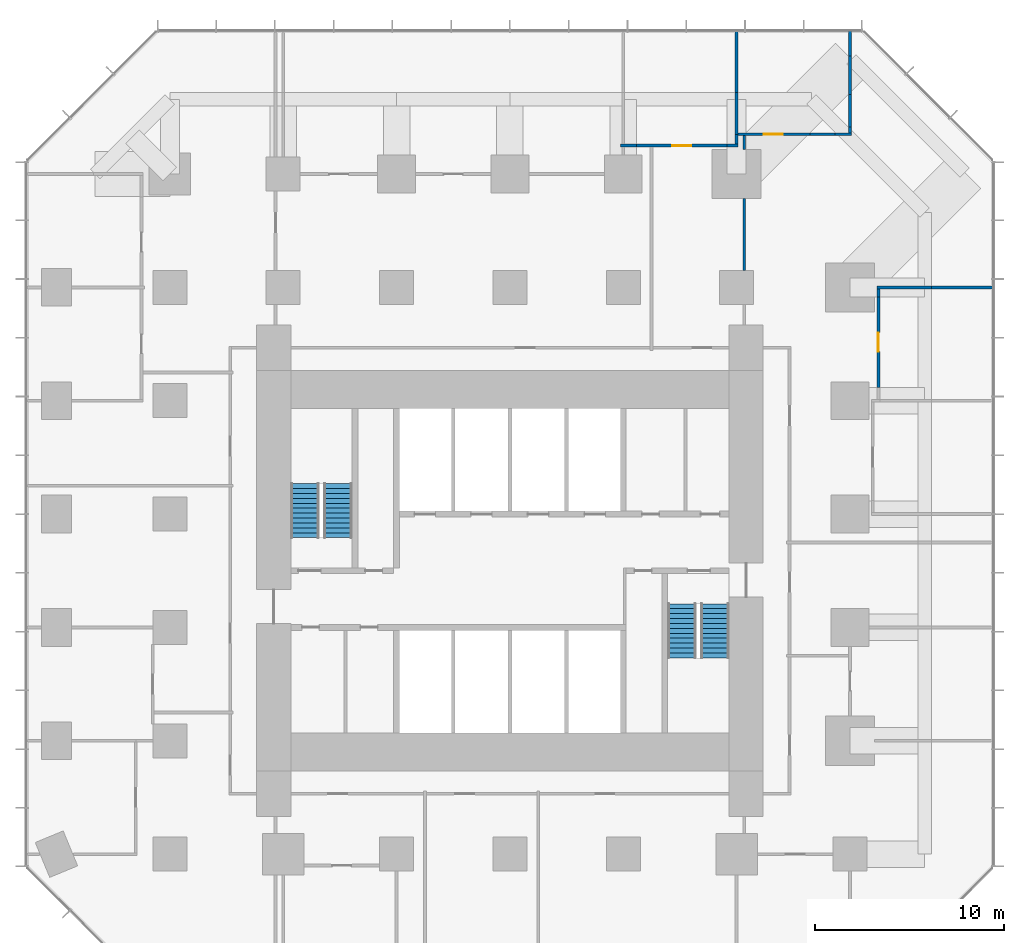
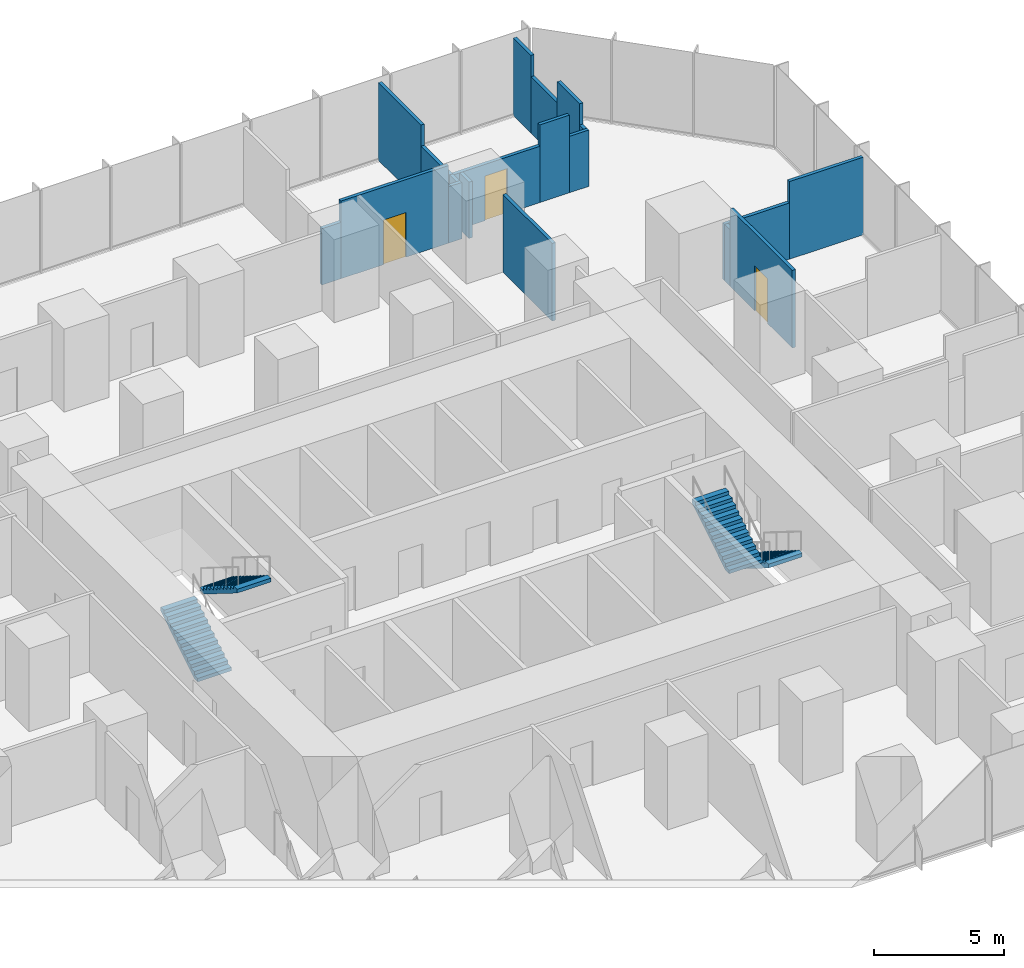
# One storey, part 11 of 12: 19 walls, 4 stair flights, 3 doors, 3 openings, 2 elements without a shape of their own.
"""IFC4 building model written with IfcOpenShell, lengths in metres."""

import ifcopenshell
import ifcopenshell.guid

model = None  # the IFC model being written
_history = None  # IfcOwnerHistory: only IFC2X3 demands one
_inside = {}  # id of a spatial element -> (the spatial element, [elements in it])
_under = {}  # id of a project, library or spatial element -> (it, [spatial elements below it])
_declared = {}  # id of a project -> (the project, [libraries it declares])
_typed = {}  # id of a type object -> (the type object, [elements of that type])
_made_of = {}  # id of a material, layer set ... -> (it, [elements and type objects made of it])


def new_model(schema):
    """Start an empty IFC model of exactly this schema.

    Asked for "IFC4X3", IfcOpenShell would pick the latest addendum, in which some entities
    have other attributes; the version numbers below select the first issue.
    IFC2X3 requires an IfcOwnerHistory on every rooted entity: one is made here for all.
    """
    global model, _history
    if schema == "IFC4X3":
        model = ifcopenshell.file(schema_version=(4, 3, 0, 0))
    else:
        model = ifcopenshell.file(schema=schema)
    _inside.clear()
    _under.clear()
    _declared.clear()
    _typed.clear()
    _made_of.clear()
    _history = None
    if model.schema == "IFC2X3":
        org = make("IfcOrganization", Name="unknown")
        user = make(
            "IfcPersonAndOrganization",
            ThePerson=make("IfcPerson", FamilyName="unknown"),
            TheOrganization=org,
        )
        app = make(
            "IfcApplication",
            ApplicationDeveloper=org,
            Version="unknown",
            ApplicationFullName="unknown",
            ApplicationIdentifier="unknown",
        )
        _history = make(
            "IfcOwnerHistory",
            OwningUser=user,
            OwningApplication=app,
            ChangeAction="ADDED",
            CreationDate=0,
        )
    return model


def make(cls, **values):
    """One entity of the class cls with the attributes given. An attribute that is None is left unset."""
    return model.create_entity(
        cls, **{name: value for name, value in values.items() if value is not None}
    )


def rooted(cls, **values):
    """An entity with a GlobalId (a new one), such as an element, a storey or a relation."""
    return make(cls, GlobalId=ifcopenshell.guid.new(), OwnerHistory=_history, **values)


def si_unit(unit_type, name, prefix=None):
    """IfcSIUnit, for example si_unit("LENGTHUNIT", "METRE", prefix="MILLI")."""
    return make("IfcSIUnit", UnitType=unit_type, Prefix=prefix, Name=name)


def assignment(units):
    """IfcUnitAssignment: the units of a project."""
    return None if units is None else make("IfcUnitAssignment", Units=units)


def point(xyz):
    """IfcCartesianPoint."""
    return None if xyz is None else make("IfcCartesianPoint", Coordinates=xyz)


def direction(xyz):
    """IfcDirection."""
    return None if xyz is None else make("IfcDirection", DirectionRatios=xyz)


def frame(location, z_axis=None, x_axis=None):
    """IfcAxis2Placement3D, a coordinate frame: its origin and axes. An axis left out is left unset."""
    return make(
        "IfcAxis2Placement3D",
        Location=point(location),
        Axis=direction(z_axis),
        RefDirection=direction(x_axis),
    )


def frame_2d(location, x_axis=None):
    """IfcAxis2Placement2D, a coordinate frame in the plane: its origin and x axis."""
    return make(
        "IfcAxis2Placement2D", Location=point(location), RefDirection=direction(x_axis)
    )


def origin():
    """The frame at (0, 0, 0) with its axes left unset."""
    return frame((0.0, 0.0, 0.0))


def place(relative_to, where):
    """IfcLocalPlacement: puts the frame where relative to a parent placement (None: the world)."""
    return make(
        "IfcLocalPlacement", PlacementRelTo=relative_to, RelativePlacement=where
    )


def context(
    kind, dimensions, precision=None, world=None, true_north=None, identifier=None
):
    """IfcGeometricRepresentationContext, for example the 3D "Model" context."""
    return make(
        "IfcGeometricRepresentationContext",
        ContextIdentifier=identifier,
        ContextType=kind,
        CoordinateSpaceDimension=dimensions,
        Precision=precision,
        WorldCoordinateSystem=world,
        TrueNorth=true_north,
    )


def subcontext(parent, identifier, kind, view, scale=None):
    """IfcGeometricRepresentationSubContext, for example "Body" below "Model"."""
    return make(
        "IfcGeometricRepresentationSubContext",
        ContextIdentifier=identifier,
        ContextType=kind,
        ParentContext=parent,
        TargetScale=scale,
        TargetView=view,
    )


def project(units=None, contexts=None):
    """IfcProject with its units and contexts."""
    return rooted(
        "IfcProject",
        Name="project",
        RepresentationContexts=contexts,
        UnitsInContext=assignment(units),
    )


def spatial(cls, under=None, at=None, **own):
    """A site, building, storey or space (cls), placed at a placement, below another one or the project."""
    s = rooted(cls, ObjectPlacement=at, **own)
    if under is not None:
        _under.setdefault(under.id(), (under, []))[1].append(s)
    return s


def polyline(points):
    """IfcPolyline through the points."""
    return make("IfcPolyline", Points=[point(p) for p in points])


def profile(cls, at=None, kind="AREA", **sizes):
    """A parametric profile (cls). Its sizes go by their IFC names, for example OverallWidth=200.0."""
    return make(cls, ProfileType=kind, Position=at, **sizes)


def rectangle(**sizes):
    """IfcRectangleProfileDef."""
    return profile("IfcRectangleProfileDef", **sizes)


def outline(outer, holes=None, kind="AREA"):
    """IfcArbitraryClosedProfileDef: a profile drawn as a closed curve; with holes, ...WithVoids."""
    if holes is None:
        return make("IfcArbitraryClosedProfileDef", ProfileType=kind, OuterCurve=outer)
    return make(
        "IfcArbitraryProfileDefWithVoids",
        ProfileType=kind,
        OuterCurve=outer,
        InnerCurves=holes,
    )


def extrude(swept, where, along, depth):
    """IfcExtrudedAreaSolid: the profile swept, set in the frame where, extruded along a direction by depth."""
    return make(
        "IfcExtrudedAreaSolid",
        SweptArea=swept,
        Position=where,
        ExtrudedDirection=direction(along),
        Depth=depth,
    )


def shape(context_of_items, identifier, shape_type, items):
    """IfcShapeRepresentation: the items that make up one representation, for example the "Body"."""
    return make(
        "IfcShapeRepresentation",
        ContextOfItems=context_of_items,
        RepresentationIdentifier=identifier,
        RepresentationType=shape_type,
        Items=items,
    )


def material(Name=None, Category=None):
    """IfcMaterial."""
    return make("IfcMaterial", Name=Name, Category=Category)


def layer(
    of_material, thickness, ventilated=None, Name=None, Category=None, Priority=None
):
    """IfcMaterialLayer: one layer of a wall or slab, of a material (None: an air gap)."""
    return make(
        "IfcMaterialLayer",
        Material=of_material,
        LayerThickness=thickness,
        IsVentilated=ventilated,
        Name=Name,
        Category=Category,
        Priority=Priority,
    )


def layer_set(layers, Name=None):
    """IfcMaterialLayerSet."""
    return make("IfcMaterialLayerSet", MaterialLayers=layers, LayerSetName=Name)


def made_of(thing, what):
    """Note that an element or type object is made of a material, layer set ...; save() writes the relation."""
    if what is not None:
        _made_of.setdefault(what.id(), (what, []))[1].append(thing)
    return thing


def type_object(cls, material=None, **own):
    """A type object (cls), such as IfcWallType, which elements share."""
    return made_of(rooted(cls, **own), material)


def element(
    cls,
    number,
    at=None,
    inside=None,
    cuts=None,
    type_object=None,
    material=None,
    context=None,
    identifier="Body",
    shape_type=None,
    held_by="IfcProductDefinitionShape",
    body=None,
    shapes=None,
    **own,
):
    """One element of the class cls, such as IfcWall. Its Tag is "e" and its number.

    at: its placement. inside: the storey or other place that contains it. cuts: it is an
    opening in that element (IfcRelVoidsElement). A single representation is given by context,
    identifier, shape_type and body (its items); several are given by shapes. held_by: the class
    of the entity that holds the representations. save() writes the other relations.
    """
    e = rooted(cls, Tag="e%d" % number, ObjectPlacement=at, **own)
    if body is not None:
        shapes = [shape(context, identifier, shape_type, body)]
    if shapes is not None:
        e.Representation = make(held_by, Representations=shapes)
    if inside is not None:
        _inside.setdefault(inside.id(), (inside, []))[1].append(e)
    if cuts is not None:
        rooted(
            "IfcRelVoidsElement", RelatingBuildingElement=cuts, RelatedOpeningElement=e
        )
    if type_object is not None:
        _typed.setdefault(type_object.id(), (type_object, []))[1].append(e)
    return made_of(e, material)


def fill(opening, filler):
    """IfcRelFillsElement: the door or window that sits in an opening."""
    return rooted(
        "IfcRelFillsElement",
        RelatingOpeningElement=opening,
        RelatedBuildingElement=filler,
    )


def aggregate(whole, parts):
    """IfcRelAggregates: a whole, such as a stair, and the parts it consists of."""
    return rooted("IfcRelAggregates", RelatingObject=whole, RelatedObjects=parts)


def save(model, path):
    """Write the relations noted so far, then the file.

    IfcRelAggregates (storeys below a building ...), IfcRelContainedInSpatialStructure (elements
    in a storey), IfcRelDefinesByType, IfcRelAssociatesMaterial and IfcRelDeclares: one each for
    every whole, place, type object, material and project.
    """
    for whole, parts in _under.values():
        aggregate(whole, parts)
    for where, things in _inside.values():
        rooted(
            "IfcRelContainedInSpatialStructure",
            RelatedElements=things,
            RelatingStructure=where,
        )
    for kind, things in _typed.values():
        rooted("IfcRelDefinesByType", RelatedObjects=things, RelatingType=kind)
    for what, things in _made_of.values():
        rooted("IfcRelAssociatesMaterial", RelatedObjects=things, RelatingMaterial=what)
    for by, libraries in _declared.values():
        rooted("IfcRelDeclares", RelatingContext=by, RelatedDefinitions=libraries)
    model.write(path)


model = new_model("IFC4")

# Units and contexts
model_context = context("Model", 3, precision=1e-05, world=origin(), true_north=direction((0.0, 1.0)))
body_context = subcontext(model_context, "Body", "Model", "MODEL_VIEW")
ifc_project = project(units=[si_unit("LENGTHUNIT", "METRE"), si_unit("AREAUNIT", "SQUARE_METRE"), si_unit("VOLUMEUNIT", "CUBIC_METRE"), si_unit("PLANEANGLEUNIT", "RADIAN"), si_unit("MASSUNIT", "GRAM", prefix="KILO")], contexts=[model_context])

# Site, building, storey
site_placement = place(None, origin())
site = spatial("IfcSite", under=ifc_project, at=site_placement, CompositionType="ELEMENT")
building_placement = place(site_placement, origin())
building = spatial("IfcBuilding", under=site, at=building_placement, Name="Highveld Stack Headquarters", CompositionType="ELEMENT")
storey_placement = place(building_placement, frame((0.0, 0.0, 72.800048828125)))
storey = spatial("IfcBuildingStorey", under=building, at=storey_placement, Name="L17", CompositionType="ELEMENT", Elevation=72.800048828125)

# Walls
ifc_material_1 = material(Name="Gypsum plasterboard on steel studs", Category="steel")
ifc_layer = layer(ifc_material_1, 0.14990234375)
ifc_layer_set = layer_set([ifc_layer], Name="Gypsum plasterboard on steel studs")
wall_type = type_object("IfcWallType", Name="PARTITION 150 PLASTERBOARD", PredefinedType="PARTITIONING", material=ifc_layer_set)
wall_1_placement = place(storey_placement, frame((25.425048828125, 18.0, 0.0), z_axis=(0.0, 0.0, 1.0), x_axis=(1.0, 0.0, 0.0)))
element("IfcWall", 1, at=wall_1_placement, inside=storey, type_object=wall_type, Name="Partition Quiet room L17", PredefinedType="PARTITIONING", context=body_context, shape_type="SweptSolid", body=[
    extrude(rectangle(XDim=2.885009765625, YDim=0.14990234375, at=frame_2d((1.4423828125, 0.0))), origin(), (0.0, 0.0, 1.0), 2.64990234375),
])
wall_2_placement = place(storey_placement, frame((28.31005859375, 18.0, 0.0), z_axis=(0.0, 0.0, 1.0), x_axis=(1.0, 0.0, 0.0)))
element("IfcWall", 2, at=wall_2_placement, inside=storey, type_object=wall_type, Name="Partition Quiet room L17", PredefinedType="PARTITIONING", context=body_context, shape_type="SweptSolid", body=[
    extrude(rectangle(XDim=3.2900390625, YDim=0.14990234375, at=frame_2d((1.64501953125, 0.0))), origin(), (0.0, 0.0, 1.0), 3.64990234375),
])
wall_3_placement = place(storey_placement, frame((11.85009765625, 25.5, 0.0), z_axis=(0.0, 0.0, 1.0), x_axis=(1.0, 0.0, 0.0)))
element("IfcWall", 3, at=wall_3_placement, inside=storey, type_object=wall_type, Name="Partition Quiet room L17", PredefinedType="PARTITIONING", context=body_context, shape_type="SweptSolid", body=[
    extrude(rectangle(XDim=0.85986328125, YDim=0.14990234375, at=frame_2d((0.429931640625, 0.0))), origin(), (0.0, 0.0, 1.0), 2.64990234375),
])

# Wall, opening, door
wall_4_placement = place(storey_placement, frame((12.7099609375, 25.5, 0.0), z_axis=(0.0, 0.0, 1.0), x_axis=(1.0, 0.0, 0.0)))
wall_4 = element("IfcWall", 4, at=wall_4_placement, inside=storey, type_object=wall_type, Name="Partition Quiet room L17", PredefinedType="PARTITIONING", context=body_context, shape_type="SweptSolid", body=[
    extrude(rectangle(XDim=4.780029296875, YDim=0.14990234375, at=frame_2d((2.39013671875, 0.0))), origin(), (0.0, 0.0, 1.0), 3.64990234375),
])
opening_1_placement = place(wall_4_placement, frame((1.889892578125, 0.0, 0.0)))
opening_1 = element("IfcOpeningElement", 5, at=opening_1_placement, cuts=wall_4, Name="Opening L17-22", PredefinedType="OPENING", context=body_context, shape_type="SweptSolid", body=[
    extrude(rectangle(XDim=1.0, YDim=2.10009765625, at=frame_2d((0.5, 1.050048828125))), frame((0.0, 0.0849609375, 0.0), z_axis=(0.0, -1.0, 0.0), x_axis=(1.0, 0.0, 0.0)), (0.0, 0.0, 1.0), 0.169921875),
])
ifc_material_2 = material(Name="Timber door, oiled ash", Category="wood")
door_type = type_object("IfcDoorType", Name="ROOM DOOR D6 1000x2100", OperationType="SINGLE_SWING_LEFT", PredefinedType="DOOR", material=ifc_material_2)
door_1_placement = place(opening_1_placement, origin())
door_1 = element("IfcDoor", 6, at=door_1_placement, inside=storey, type_object=door_type, Name="Quiet room door 1 L17", OperationType="SINGLE_SWING_RIGHT", OverallHeight=2.10009765625, OverallWidth=1.0, PredefinedType="DOOR", context=body_context, shape_type="SweptSolid", body=[
    extrude(rectangle(XDim=1.0, YDim=2.10009765625, at=frame_2d((0.5, 1.050048828125))), frame((0.0, 0.02490234375, 0.0), z_axis=(0.0, -1.0, 0.0), x_axis=(1.0, 0.0, 0.0)), (0.0, 0.0, 1.0), 0.050048828125),
])
fill(opening_1, door_1)

# Wall
wall_5_placement = place(storey_placement, frame((17.489990234375, 25.5, 0.0), z_axis=(0.0, 0.0, 1.0), x_axis=(1.0, 0.0, 0.0)))
element("IfcWall", 7, at=wall_5_placement, inside=storey, type_object=wall_type, Name="Partition Quiet room L17", PredefinedType="PARTITIONING", context=body_context, shape_type="SweptSolid", body=[
    extrude(rectangle(XDim=0.5849609375, YDim=0.14990234375, at=frame_2d((0.29248046875, 0.0))), origin(), (0.0, 0.0, 1.0), 2.64990234375),
])

# Wall, opening, door
wall_6_placement = place(storey_placement, frame((18.074951171875, 26.10009765625, 0.0), z_axis=(0.0, 0.0, 1.0), x_axis=(1.0, 0.0, 0.0)))
wall_6 = element("IfcWall", 8, at=wall_6_placement, inside=storey, type_object=wall_type, Name="Partition Focus room L17", PredefinedType="PARTITIONING", context=body_context, shape_type="SweptSolid", body=[
    extrude(rectangle(XDim=3.817138671875, YDim=0.14990234375, at=frame_2d((1.90869140625, 0.0))), origin(), (0.0, 0.0, 1.0), 2.64990234375),
])
opening_2_placement = place(wall_6_placement, frame((1.37109375, 0.0, 0.0)))
opening_2 = element("IfcOpeningElement", 9, at=opening_2_placement, cuts=wall_6, Name="Opening L17-23", PredefinedType="OPENING", context=body_context, shape_type="SweptSolid", body=[
    extrude(rectangle(XDim=1.0, YDim=2.10009765625, at=frame_2d((0.5, 1.050048828125))), frame((0.0, 0.0849609375, 0.0), z_axis=(0.0, -1.0, 0.0), x_axis=(1.0, 0.0, 0.0)), (0.0, 0.0, 1.0), 0.169921875),
])
door_2_placement = place(opening_2_placement, origin())
door_2 = element("IfcDoor", 10, at=door_2_placement, inside=storey, type_object=door_type, Name="Focus room door 1 L17", OperationType="SINGLE_SWING_LEFT", OverallHeight=2.10009765625, OverallWidth=1.0, PredefinedType="DOOR", context=body_context, shape_type="SweptSolid", body=[
    extrude(rectangle(XDim=1.0, YDim=2.10009765625, at=frame_2d((0.5, 1.050048828125))), frame((0.0, 0.02490234375, 0.0), z_axis=(0.0, -1.0, 0.0), x_axis=(1.0, 0.0, 0.0)), (0.0, 0.0, 1.0), 0.050048828125),
])
fill(opening_2, door_2)

# Walls
wall_7_placement = place(storey_placement, frame((21.89208984375, 26.10009765625, 0.0), z_axis=(0.0, 0.0, 1.0), x_axis=(1.0, 0.0, 0.0)))
element("IfcWall", 11, at=wall_7_placement, inside=storey, type_object=wall_type, Name="Partition Focus room L17", PredefinedType="PARTITIONING", context=body_context, shape_type="SweptSolid", body=[
    extrude(rectangle(XDim=1.31787109375, YDim=0.14990234375, at=frame_2d((0.658935546875, 0.0))), origin(), (0.0, 0.0, 1.0), 3.64990234375),
])
wall_8_placement = place(storey_placement, frame((23.2099609375, 26.10009765625, 0.0), z_axis=(0.0, 0.0, 1.0), x_axis=(1.0, 0.0, 0.0)))
element("IfcWall", 12, at=wall_8_placement, inside=storey, type_object=wall_type, Name="Partition Focus room L17", PredefinedType="PARTITIONING", context=body_context, shape_type="SweptSolid", body=[
    extrude(rectangle(XDim=0.864990234375, YDim=0.14990234375, at=frame_2d((0.4326171875, 0.0))), origin(), (0.0, 0.0, 1.0), 2.64990234375),
])
wall_9_placement = place(storey_placement, frame((18.0, 25.574951171875, 0.0), z_axis=(0.0, 0.0, 1.0), x_axis=(0.0, 1.0, 0.0)))
element("IfcWall", 13, at=wall_9_placement, inside=storey, type_object=wall_type, Name="Partition Quiet room L17", PredefinedType="PARTITIONING", context=body_context, shape_type="SweptSolid", body=[
    extrude(rectangle(XDim=0.525146484375, YDim=0.14990234375, at=frame_2d((0.2626953125, 0.0))), origin(), (0.0, 0.0, 1.0), 2.64990234375),
])
wall_10_placement = place(storey_placement, frame((18.0, 26.10009765625, 0.0), z_axis=(0.0, 0.0, 1.0), x_axis=(0.0, 1.0, 0.0)))
element("IfcWall", 14, at=wall_10_placement, inside=storey, type_object=wall_type, Name="Partition Focus room / Quiet room L17", PredefinedType="PARTITIONING", context=body_context, shape_type="SweptSolid", body=[
    extrude(rectangle(XDim=2.2099609375, YDim=0.14990234375, at=frame_2d((1.10498046875, 0.0))), origin(), (0.0, 0.0, 1.0), 2.64990234375),
])
wall_11_placement = place(storey_placement, frame((18.0, 28.31005859375, 0.0), z_axis=(0.0, 0.0, 1.0), x_axis=(0.0, 1.0, 0.0)))
element("IfcWall", 15, at=wall_11_placement, inside=storey, type_object=wall_type, Name="Partition Focus room / Quiet room L17", PredefinedType="PARTITIONING", context=body_context, shape_type="SweptSolid", body=[
    extrude(rectangle(XDim=3.2900390625, YDim=0.14990234375, at=frame_2d((1.64501953125, 0.0))), origin(), (0.0, 0.0, 1.0), 3.64990234375),
])
wall_12_placement = place(storey_placement, frame((24.0, 26.175048828125, 0.0), z_axis=(0.0, 0.0, 1.0), x_axis=(0.0, 1.0, 0.0)))
element("IfcWall", 16, at=wall_12_placement, inside=storey, type_object=wall_type, Name="Partition Focus room L17", PredefinedType="PARTITIONING", context=body_context, shape_type="SweptSolid", body=[
    extrude(rectangle(XDim=0.31494140625, YDim=0.14990234375, at=frame_2d((0.157470703125, 0.0))), origin(), (0.0, 0.0, 1.0), 2.64990234375),
])
wall_13_placement = place(storey_placement, frame((24.0, 26.489990234375, 0.0), z_axis=(0.0, 0.0, 1.0), x_axis=(0.0, 1.0, 0.0)))
element("IfcWall", 17, at=wall_13_placement, inside=storey, type_object=wall_type, Name="Partition Focus room L17", PredefinedType="PARTITIONING", context=body_context, shape_type="SweptSolid", body=[
    extrude(rectangle(XDim=1.718017578125, YDim=0.14990234375, at=frame_2d((0.85888671875, 0.0))), origin(), (0.0, 0.0, 1.0), 3.64990234375),
])
wall_14_placement = place(storey_placement, frame((24.0, 28.2080078125, 0.0), z_axis=(0.0, 0.0, 1.0), x_axis=(0.0, 1.0, 0.0)))
element("IfcWall", 18, at=wall_14_placement, inside=storey, type_object=wall_type, Name="Partition Focus room L17", PredefinedType="PARTITIONING", context=body_context, shape_type="SweptSolid", body=[
    extrude(rectangle(XDim=2.029052734375, YDim=0.14990234375, at=frame_2d((1.0146484375, 0.0))), origin(), (0.0, 0.0, 1.0), 2.64990234375),
])
wall_15_placement = place(storey_placement, frame((24.0, 30.237060546875, 0.0), z_axis=(0.0, 0.0, 1.0), x_axis=(0.0, 1.0, 0.0)))
element("IfcWall", 19, at=wall_15_placement, inside=storey, type_object=wall_type, Name="Partition Focus room L17", PredefinedType="PARTITIONING", context=body_context, shape_type="SweptSolid", body=[
    extrude(rectangle(XDim=1.363037109375, YDim=0.14990234375, at=frame_2d((0.681640625, 0.0))), origin(), (0.0, 0.0, 1.0), 3.64990234375),
])

# Wall, opening, door
wall_16_placement = place(storey_placement, frame((25.5, 12.7099609375, 0.0), z_axis=(0.0, 0.0, 1.0), x_axis=(0.0, 1.0, 0.0)))
wall_16 = element("IfcWall", 20, at=wall_16_placement, inside=storey, type_object=wall_type, Name="Partition Quiet room L17", PredefinedType="PARTITIONING", context=body_context, shape_type="SweptSolid", body=[
    extrude(rectangle(XDim=4.780029296875, YDim=0.14990234375, at=frame_2d((2.39013671875, 0.0))), origin(), (0.0, 0.0, 1.0), 3.64990234375),
])
opening_3_placement = place(wall_16_placement, frame((1.889892578125, 0.0, 0.0)))
opening_3 = element("IfcOpeningElement", 21, at=opening_3_placement, cuts=wall_16, Name="Opening L17-19", PredefinedType="OPENING", context=body_context, shape_type="SweptSolid", body=[
    extrude(rectangle(XDim=1.0, YDim=2.10009765625, at=frame_2d((0.5, 1.050048828125))), frame((0.0, 0.0849609375, 0.0), z_axis=(0.0, -1.0, 0.0), x_axis=(1.0, 0.0, 0.0)), (0.0, 0.0, 1.0), 0.169921875),
])
door_3_placement = place(opening_3_placement, origin())
door_3 = element("IfcDoor", 22, at=door_3_placement, inside=storey, type_object=door_type, Name="Quiet room door 1 L17", OperationType="SINGLE_SWING_RIGHT", OverallHeight=2.10009765625, OverallWidth=1.0, PredefinedType="DOOR", context=body_context, shape_type="SweptSolid", body=[
    extrude(rectangle(XDim=1.0, YDim=2.10009765625, at=frame_2d((0.5, 1.050048828125))), frame((0.0, 0.02490234375, 0.0), z_axis=(0.0, -1.0, 0.0), x_axis=(1.0, 0.0, 0.0)), (0.0, 0.0, 1.0), 0.050048828125),
])
fill(opening_3, door_3)

# Walls
wall_17_placement = place(storey_placement, frame((25.5, 17.489990234375, 0.0), z_axis=(0.0, 0.0, 1.0), x_axis=(0.0, 1.0, 0.0)))
element("IfcWall", 23, at=wall_17_placement, inside=storey, type_object=wall_type, Name="Partition Quiet room L17", PredefinedType="PARTITIONING", context=body_context, shape_type="SweptSolid", body=[
    extrude(rectangle(XDim=0.43505859375, YDim=0.14990234375, at=frame_2d((0.217529296875, 0.0))), origin(), (0.0, 0.0, 1.0), 2.64990234375),
])
wall_18_placement = place(storey_placement, frame((18.39990234375, 18.89990234375, 0.0), z_axis=(0.0, 0.0, 1.0), x_axis=(0.0, 1.0, 0.0)))
element("IfcWall", 24, at=wall_18_placement, inside=storey, type_object=wall_type, Name="Partition office neighbourhood L17", PredefinedType="PARTITIONING", context=body_context, shape_type="SweptSolid", body=[
    extrude(rectangle(XDim=3.800048828125, YDim=0.14990234375, at=frame_2d((1.89990234375, 0.0))), origin(), (0.0, 0.0, 1.0), 3.64990234375),
])
wall_19_placement = place(storey_placement, frame((18.39990234375, 25.300048828125, 0.0), z_axis=(0.0, 0.0, 1.0), x_axis=(0.0, 1.0, 0.0)))
element("IfcWall", 25, at=wall_19_placement, inside=storey, type_object=wall_type, Name="Partition office neighbourhood L17", PredefinedType="PARTITIONING", context=body_context, shape_type="SweptSolid", body=[
    extrude(rectangle(XDim=0.724853515625, YDim=0.14990234375, at=frame_2d((0.3623046875, 0.0))), origin(), (0.0, 0.0, 1.0), 2.64990234375),
])

# Stair, stair flights
ifc_material_3 = material(Name="Concrete C40/50, precast", Category="concrete")
stair_type_1 = type_object("IfcStairType", Name="STAIR S1 HALF TURN 1500", PredefinedType="HALF_TURN_STAIR", material=ifc_material_3)
stair_1_placement = place(storey_placement, origin())
stair_1 = element("IfcStair", 26, at=stair_1_placement, inside=storey, type_object=stair_type_1, Name="Stair S1 L17", PredefinedType="HALF_TURN_STAIR")
ifc_material_4 = material(Name="Concrete C40/50, precast", Category="concrete")
stair_flight_type = type_object("IfcStairFlightType", Name="STAIR FLIGHT 1500 PRECAST", PredefinedType="STRAIGHT", material=ifc_material_4)
stair_flight_1_placement = place(storey_placement, frame((-4.85009765625, 4.75, 0.0), z_axis=(0.0, 0.0, 1.0), x_axis=(0.0, 1.0, 0.0)))
stair_flight_1 = element("IfcStairFlight", 27, at=stair_flight_1_placement, type_object=stair_flight_type, Name="S1 flight 1", NumberOfRisers=12, NumberOfTreads=11, PredefinedType="STRAIGHT", RiserHeight=0.1625, TreadLength=0.26, context=body_context, shape_type="SweptSolid", body=[
    extrude(outline(polyline([(0.0, 0.0), (0.0, 0.16259765625), (0.260009765625, 0.16259765625), (0.260009765625, 0.324951171875), (0.52001953125, 0.324951171875), (0.52001953125, 0.487548828125), (0.780029296875, 0.487548828125), (0.780029296875, 0.64990234375), (1.0400390625, 0.64990234375), (1.0400390625, 0.8125), (1.300048828125, 0.8125), (1.300048828125, 0.97509765625), (1.56005859375, 0.97509765625), (1.56005859375, 1.137451171875), (1.820068359375, 1.137451171875), (1.820068359375, 1.300048828125), (2.080078125, 1.300048828125), (2.080078125, 1.46240234375), (2.340087890625, 1.46240234375), (2.340087890625, 1.625), (2.60009765625, 1.625), (2.60009765625, 1.78759765625), (2.860107421875, 1.78759765625), (2.860107421875, 1.949951171875), (2.860107421875, 1.61083984375), (0.28271484375, 0.0), (0.0, 0.0)])), frame((0.0, 0.75, 0.0), z_axis=(0.0, -1.0, 0.0), x_axis=(1.0, 0.0, 0.0)), (0.0, 0.0, 1.0), 1.5),
])
stair_flight_2_placement = place(storey_placement, frame((-3.10009765625, 7.610107421875, 1.949951171875), z_axis=(0.0, 0.0, 1.0), x_axis=(0.0, -1.0, 0.0)))
stair_flight_2 = element("IfcStairFlight", 28, at=stair_flight_2_placement, type_object=stair_flight_type, Name="S1 flight 2", NumberOfRisers=12, NumberOfTreads=11, PredefinedType="STRAIGHT", RiserHeight=0.1625, TreadLength=0.26, context=body_context, shape_type="SweptSolid", body=[
    extrude(outline(polyline([(0.0, 0.0), (0.0, 0.16259765625), (0.260009765625, 0.16259765625), (0.260009765625, 0.324951171875), (0.52001953125, 0.324951171875), (0.52001953125, 0.487548828125), (0.780029296875, 0.487548828125), (0.780029296875, 0.64990234375), (1.0400390625, 0.64990234375), (1.0400390625, 0.8125), (1.300048828125, 0.8125), (1.300048828125, 0.97509765625), (1.56005859375, 0.97509765625), (1.56005859375, 1.137451171875), (1.820068359375, 1.137451171875), (1.820068359375, 1.300048828125), (2.080078125, 1.300048828125), (2.080078125, 1.46240234375), (2.340087890625, 1.46240234375), (2.340087890625, 1.625), (2.60009765625, 1.625), (2.60009765625, 1.78759765625), (2.860107421875, 1.78759765625), (2.860107421875, 1.949951171875), (2.860107421875, 1.61083984375), (0.28271484375, 0.0), (0.0, 0.0)])), frame((0.0, 0.75, 0.0), z_axis=(0.0, -1.0, 0.0), x_axis=(1.0, 0.0, 0.0)), (0.0, 0.0, 1.0), 1.5),
])
aggregate(stair_1, [stair_flight_1, stair_flight_2])

ifc_material_5 = material(Name="Concrete C40/50, precast", Category="concrete")
stair_type_2 = type_object("IfcStairType", Name="STAIR S2 HALF TURN 1500", PredefinedType="HALF_TURN_STAIR", material=ifc_material_5)
stair_2_placement = place(storey_placement, origin())
stair_2 = element("IfcStair", 29, at=stair_2_placement, inside=storey, type_object=stair_type_2, Name="Stair S2 L17", PredefinedType="HALF_TURN_STAIR")
stair_flight_3_placement = place(storey_placement, frame((16.85009765625, 1.25, 0.0), z_axis=(0.0, 0.0, 1.0), x_axis=(0.0, -1.0, 0.0)))
stair_flight_3 = element("IfcStairFlight", 30, at=stair_flight_3_placement, type_object=stair_flight_type, Name="S2 flight 1", NumberOfRisers=12, NumberOfTreads=11, PredefinedType="STRAIGHT", RiserHeight=0.1625, TreadLength=0.26, context=body_context, shape_type="SweptSolid", body=[
    extrude(outline(polyline([(0.0, 0.0), (0.0, 0.16259765625), (0.260009765625, 0.16259765625), (0.260009765625, 0.324951171875), (0.52001953125, 0.324951171875), (0.52001953125, 0.487548828125), (0.780029296875, 0.487548828125), (0.780029296875, 0.64990234375), (1.0400390625, 0.64990234375), (1.0400390625, 0.8125), (1.300048828125, 0.8125), (1.300048828125, 0.97509765625), (1.56005859375, 0.97509765625), (1.56005859375, 1.137451171875), (1.820068359375, 1.137451171875), (1.820068359375, 1.300048828125), (2.080078125, 1.300048828125), (2.080078125, 1.46240234375), (2.340087890625, 1.46240234375), (2.340087890625, 1.625), (2.60009765625, 1.625), (2.60009765625, 1.78759765625), (2.860107421875, 1.78759765625), (2.860107421875, 1.949951171875), (2.860107421875, 1.61083984375), (0.28271484375, 0.0), (0.0, 0.0)])), frame((0.0, 0.75, 0.0), z_axis=(0.0, -1.0, 0.0), x_axis=(1.0, 0.0, 0.0)), (0.0, 0.0, 1.0), 1.5),
])
stair_flight_4_placement = place(storey_placement, frame((15.10009765625, -1.610107421875, 1.949951171875), z_axis=(0.0, 0.0, 1.0), x_axis=(0.0, 1.0, 0.0)))
stair_flight_4 = element("IfcStairFlight", 31, at=stair_flight_4_placement, type_object=stair_flight_type, Name="S2 flight 2", NumberOfRisers=12, NumberOfTreads=11, PredefinedType="STRAIGHT", RiserHeight=0.1625, TreadLength=0.26, context=body_context, shape_type="SweptSolid", body=[
    extrude(outline(polyline([(0.0, 0.0), (0.0, 0.16259765625), (0.260009765625, 0.16259765625), (0.260009765625, 0.324951171875), (0.52001953125, 0.324951171875), (0.52001953125, 0.487548828125), (0.780029296875, 0.487548828125), (0.780029296875, 0.64990234375), (1.0400390625, 0.64990234375), (1.0400390625, 0.8125), (1.300048828125, 0.8125), (1.300048828125, 0.97509765625), (1.56005859375, 0.97509765625), (1.56005859375, 1.137451171875), (1.820068359375, 1.137451171875), (1.820068359375, 1.300048828125), (2.080078125, 1.300048828125), (2.080078125, 1.46240234375), (2.340087890625, 1.46240234375), (2.340087890625, 1.625), (2.60009765625, 1.625), (2.60009765625, 1.78759765625), (2.860107421875, 1.78759765625), (2.860107421875, 1.949951171875), (2.860107421875, 1.61083984375), (0.28271484375, 0.0), (0.0, 0.0)])), frame((0.0, 0.75, 0.0), z_axis=(0.0, -1.0, 0.0), x_axis=(1.0, 0.0, 0.0)), (0.0, 0.0, 1.0), 1.5),
])
aggregate(stair_2, [stair_flight_3, stair_flight_4])

save(model, "model.ifc")
